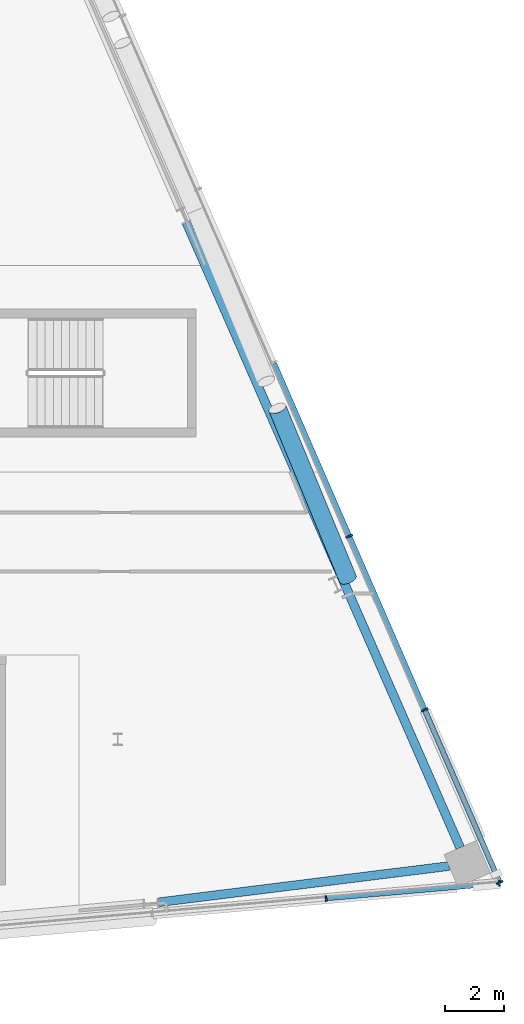
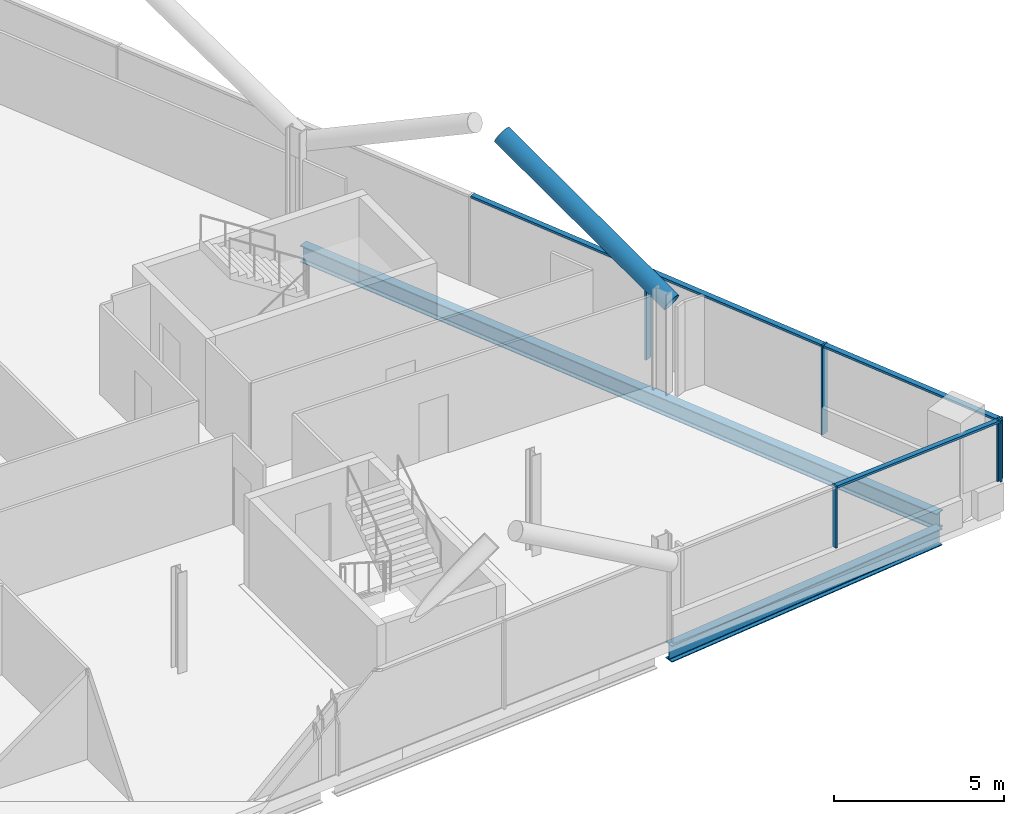
# One storey, part 12 of 26: 10 members, 2 beams, 2 elements without a shape of their own.
"""IFC4 building model written with IfcOpenShell, lengths in metres."""

from ifc_helpers import new_model, si_unit, direction, frame, origin, origin_2d, place, context, subcontext, project, spatial, rectangle, hollow_circle, i_section, extrude, material, material_profile, profile_set, type_object, element, aggregate, save


model = new_model("IFC4")

# Units and contexts
model_context = context("Model", 3, precision=1e-05, world=origin(), true_north=direction((0.0, 1.0)))
body_context = subcontext(model_context, "Body", "Model", "MODEL_VIEW")
ifc_project = project(units=[si_unit("LENGTHUNIT", "METRE"), si_unit("AREAUNIT", "SQUARE_METRE"), si_unit("VOLUMEUNIT", "CUBIC_METRE"), si_unit("PLANEANGLEUNIT", "RADIAN"), si_unit("MASSUNIT", "GRAM", prefix="KILO")], contexts=[model_context])

# Site, building, storey
site_placement = place(None, origin())
site = spatial("IfcSite", under=ifc_project, at=site_placement, CompositionType="ELEMENT")
building_placement = place(site_placement, origin())
building = spatial("IfcBuilding", under=site, at=building_placement, Name="Wharfspan Tower", CompositionType="ELEMENT")
storey_placement = place(building_placement, frame((0.0, 0.0, 217.899902)))
storey = spatial("IfcBuildingStorey", under=building, at=storey_placement, Name="L54", CompositionType="ELEMENT", Elevation=217.899902)

# Beams
ifc_material_1 = material(Name="Steel S355J2", Category="steel")
ifc_material_profile_1 = material_profile(ifc_material_1, i_section(OverallWidth=0.300049, OverallDepth=0.600098, WebThickness=0.015381, FlangeThickness=0.030029, FilletRadius=0.0271, at=origin_2d()))
ifc_profile_set_1 = profile_set([ifc_material_profile_1], Name="Steel S355J2")
beam_type = type_object("IfcBeamType", Name="Edge beam HEB 600", PredefinedType="SPANDREL", material=ifc_profile_set_1)
beam_1_placement = place(storey_placement, frame((73.391602, 5.955322, -0.699951), z_axis=(0.992301, 0.123848, 0.0), x_axis=(-0.123848, 0.992301, 0.0)))
element("IfcBeam", 1, at=beam_1_placement, inside=storey, type_object=beam_type, Name="Edge beam S2 L54 PS2.2 to MC4", PredefinedType="SPANDREL", context=body_context, shape_type="SweptSolid", body=[
    extrude(i_section(OverallWidth=0.300049, OverallDepth=0.600098, WebThickness=0.015381, FlangeThickness=0.030029, FilletRadius=0.0271, at=origin_2d()), origin(), (0.0, 0.0, 1.0), 9.951172),
])
beam_2_placement = place(storey_placement, frame((83.643799, 7.810547, -0.699951), z_axis=(-0.401141, 0.916016, 0.0), x_axis=(-0.916016, -0.401141, 0.0)))
element("IfcBeam", 2, at=beam_2_placement, inside=storey, type_object=beam_type, Name="Edge beam E L54 MC4 to PE.2", PredefinedType="SPANDREL", context=body_context, shape_type="SweptSolid", body=[
    extrude(i_section(OverallWidth=0.300049, OverallDepth=0.600098, WebThickness=0.015381, FlangeThickness=0.030029, FilletRadius=0.0271, at=origin_2d()), origin(), (0.0, 0.0, 1.0), 23.196045),
])

# Curtain wall, members
ifc_material_2 = material(Name="Aluminium 6063-T6", Category="aluminium")
curtain_wall_type_1 = type_object("IfcCurtainWallType", Name="CURTAIN WALL FACETED FRONT", PredefinedType="NOTDEFINED", material=ifc_material_2)
curtain_wall_1_placement = place(storey_placement, origin())
curtain_wall_1 = element("IfcCurtainWall", 3, at=curtain_wall_1_placement, inside=storey, type_object=curtain_wall_type_1, Name="Curtain wall S2", PredefinedType="NOTDEFINED")
ifc_material_profile_2 = material_profile(ifc_material_2, rectangle(XDim=0.199951, YDim=0.060059, at=origin_2d()))
ifc_profile_set_2 = profile_set([ifc_material_profile_2], Name="Aluminium 6063-T6")
member_type_1 = type_object("IfcMemberType", Name="MULLION FACETED FRONT 60x200", PredefinedType="MULLION", material=ifc_profile_set_2)
member_1_placement = place(storey_placement, frame((79.083252, 6.082275, 1.0), z_axis=(0.0, 0.0, 1.0), x_axis=(-0.087156, 0.996197, 0.0)))
member_1 = element("IfcMember", 4, at=member_1_placement, type_object=member_type_1, Name="Curtain wall S2 mullion 6", PredefinedType="MULLION", context=body_context, shape_type="SweptSolid", body=[
    extrude(rectangle(XDim=0.199951, YDim=0.060059, at=origin_2d()), origin(), (0.0, 0.0, 1.0), 2.200195),
])
member_2_placement = place(storey_placement, frame((84.970215, 6.597412, 1.0), z_axis=(0.0, 0.0, 1.0), x_axis=(-0.087156, 0.996197, 0.0)))
member_2 = element("IfcMember", 5, at=member_2_placement, type_object=member_type_1, Name="Curtain wall S2 mullion 7", PredefinedType="MULLION", context=body_context, shape_type="SweptSolid", body=[
    extrude(rectangle(XDim=0.199951, YDim=0.060059, at=origin_2d()), origin(), (0.0, 0.0, 1.0), 2.200195),
])

curtain_wall_type_2 = type_object("IfcCurtainWallType", Name="CURTAIN WALL PROW AND END", PredefinedType="NOTDEFINED", material=ifc_material_2)
curtain_wall_2_placement = place(storey_placement, origin())
curtain_wall_2 = element("IfcCurtainWall", 6, at=curtain_wall_2_placement, inside=storey, type_object=curtain_wall_type_2, Name="Curtain wall E", PredefinedType="NOTDEFINED")
ifc_material_profile_3 = material_profile(ifc_material_2, rectangle(XDim=0.23999, YDim=0.060059, at=origin_2d()))
ifc_profile_set_3 = profile_set([ifc_material_profile_3], Name="Aluminium 6063-T6")
member_type_2 = type_object("IfcMemberType", Name="MULLION PROW AND END 60x240", PredefinedType="MULLION", material=ifc_profile_set_3)
member_3_placement = place(storey_placement, frame((84.988037, 6.627441, 1.0), z_axis=(0.0, 0.0, 1.0), x_axis=(-0.917072, -0.398727, 0.0)))
member_3 = element("IfcMember", 7, at=member_3_placement, type_object=member_type_2, Name="Curtain wall E mullion 1", PredefinedType="MULLION", context=body_context, shape_type="SweptSolid", body=[
    extrude(rectangle(XDim=0.23999, YDim=0.060059, at=origin_2d()), origin(), (0.0, 0.0, 1.0), 2.200195),
])
member_4_placement = place(storey_placement, frame((82.434814, 12.5, 0.0), z_axis=(0.0, 0.0, 1.0), x_axis=(-0.917072, -0.398727, 0.0)))
member_4 = element("IfcMember", 8, at=member_4_placement, type_object=member_type_2, Name="Curtain wall E mullion 2", PredefinedType="MULLION", context=body_context, shape_type="SweptSolid", body=[
    extrude(rectangle(XDim=0.23999, YDim=0.060059, at=origin_2d()), origin(), (0.0, 0.0, 1.0), 3.200195),
])
member_5_placement = place(storey_placement, frame((79.869629, 18.399902, 0.0), z_axis=(0.0, 0.0, 1.0), x_axis=(-0.917072, -0.398727, 0.0)))
member_5 = element("IfcMember", 9, at=member_5_placement, type_object=member_type_2, Name="Curtain wall E mullion 3", PredefinedType="MULLION", context=body_context, shape_type="SweptSolid", body=[
    extrude(rectangle(XDim=0.23999, YDim=0.060059, at=origin_2d()), origin(), (0.0, 0.0, 1.0), 3.200195),
])

# Member
ifc_material_3 = material(Name="Steel S460NH", Category="steel")
ifc_material_profile_4 = material_profile(ifc_material_3, hollow_circle(Radius=0.304932, WallThickness=0.024902, at=origin_2d()))
ifc_profile_set_4 = profile_set([ifc_material_profile_4], Name="Steel S460NH")
member_type_3 = type_object("IfcMemberType", Name="Mega brace CHS 610x25", PredefinedType="BRACE", material=ifc_profile_set_4)
member_6_placement = place(storey_placement, frame((79.826904, 16.943115, 2.900146), z_axis=(-0.337047, 0.816368, 0.46898), x_axis=(-0.924317, -0.381615, 0.0)))
element("IfcMember", 10, at=member_6_placement, inside=storey, type_object=member_type_3, Name="Mega brace E5 L55 part 1", PredefinedType="BRACE", context=body_context, shape_type="SweptSolid", body=[
    extrude(hollow_circle(Radius=0.304932, WallThickness=0.024902, at=origin_2d()), origin(), (0.0, 0.0, 1.0), 7.105957),
])

ifc_material_profile_5 = material_profile(ifc_material_2, rectangle(XDim=0.159912, YDim=0.080078, at=origin_2d()))
ifc_profile_set_5 = profile_set([ifc_material_profile_5], Name="Aluminium 6063-T6")
member_type_4 = type_object("IfcMemberType", Name="TRANSOM FACETED FRONT 80x160", PredefinedType="USERDEFINED", material=ifc_profile_set_5)
member_7_placement = place(storey_placement, frame((79.113281, 6.084961, 3.160156), z_axis=(0.996195, 0.087152, 0.0), x_axis=(-0.087152, 0.996195, 0.0)))
member_7 = element("IfcMember", 11, at=member_7_placement, type_object=member_type_4, Name="Curtain wall S2 transom 6", ObjectType="TRANSOM", PredefinedType="USERDEFINED", context=body_context, shape_type="SweptSolid", body=[
    extrude(rectangle(XDim=0.159912, YDim=0.080078, at=origin_2d()), origin(), (0.0, 0.0, 1.0), 5.849121),
])

aggregate(curtain_wall_1, [member_1, member_2, member_7])

ifc_material_profile_6 = material_profile(ifc_material_2, rectangle(XDim=0.179932, YDim=0.080078, at=origin_2d()))
ifc_profile_set_6 = profile_set([ifc_material_profile_6], Name="Aluminium 6063-T6")
member_type_5 = type_object("IfcMemberType", Name="TRANSOM PROW AND END 80x180", PredefinedType="USERDEFINED", material=ifc_profile_set_6)
member_8_placement = place(storey_placement, frame((84.976074, 6.655029, 3.160156), z_axis=(-0.398726, 0.91707, 0.0), x_axis=(-0.91707, -0.398726, 0.0)))
member_8 = element("IfcMember", 12, at=member_8_placement, type_object=member_type_5, Name="Curtain wall E transom 1", ObjectType="TRANSOM", PredefinedType="USERDEFINED", context=body_context, shape_type="SweptSolid", body=[
    extrude(rectangle(XDim=0.179932, YDim=0.080078, at=origin_2d()), origin(), (0.0, 0.0, 1.0), 6.343506),
])

member_9_placement = place(storey_placement, frame((82.422852, 12.527588, 3.160156), z_axis=(-0.398722, 0.917072, 0.0), x_axis=(-0.917072, -0.398722, 0.0)))
member_9 = element("IfcMember", 13, at=member_9_placement, type_object=member_type_5, Name="Curtain wall E transom 2", ObjectType="TRANSOM", PredefinedType="USERDEFINED", context=body_context, shape_type="SweptSolid", body=[
    extrude(rectangle(XDim=0.179932, YDim=0.080078, at=origin_2d()), origin(), (0.0, 0.0, 1.0), 6.373535),
])

member_10_placement = place(storey_placement, frame((79.857666, 18.42749, 3.160156), z_axis=(-0.398722, 0.917072, 0.0), x_axis=(-0.917072, -0.398722, 0.0)))
member_10 = element("IfcMember", 14, at=member_10_placement, type_object=member_type_5, Name="Curtain wall E transom 3", ObjectType="TRANSOM", PredefinedType="USERDEFINED", context=body_context, shape_type="SweptSolid", body=[
    extrude(rectangle(XDim=0.179932, YDim=0.080078, at=origin_2d()), origin(), (0.0, 0.0, 1.0), 6.373535),
])

aggregate(curtain_wall_2, [member_3, member_4, member_5, member_8, member_9, member_10])

save(model, "model.ifc")
